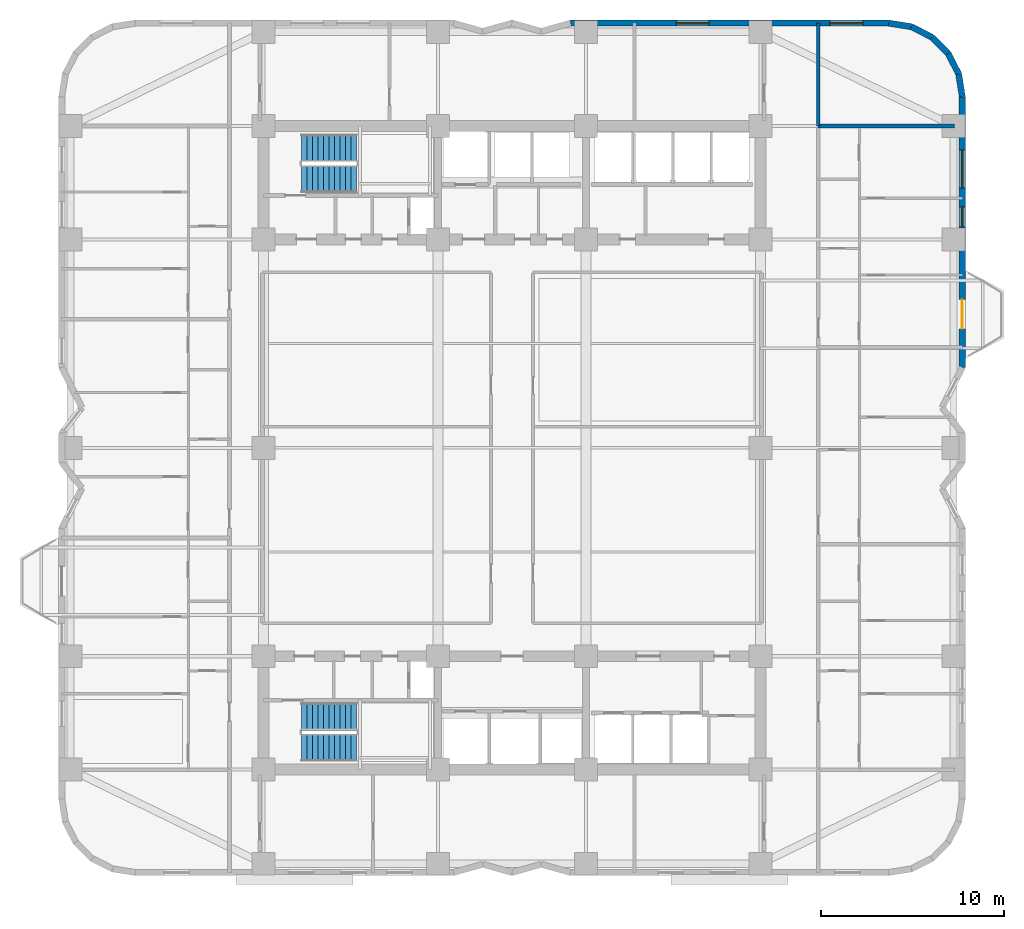
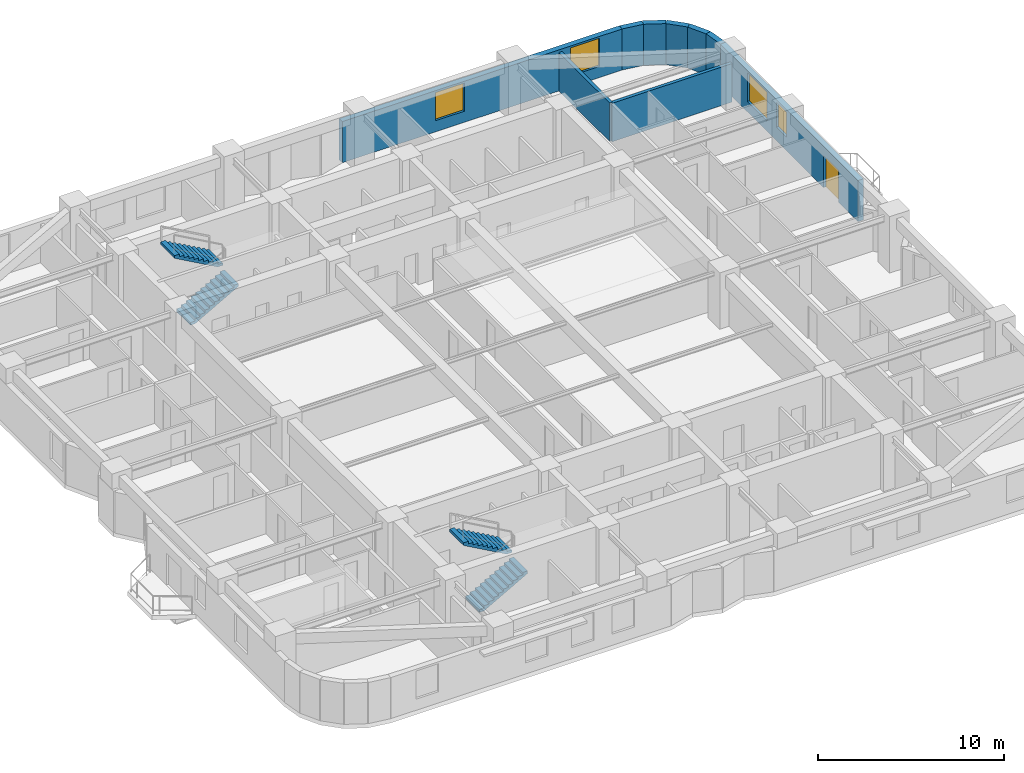
# One storey, part 8 of 10: 9 walls, 4 stair flights, 4 windows, 1 door, 5 openings, 2 elements without a shape of their own.
"""IFC4 building model written with IfcOpenShell, lengths in metres."""

from ifc_helpers import new_model, si_unit, direction, frame, frame_2d, origin, place, context, subcontext, project, spatial, polyline, rectangle, outline, extrude, material, layer, layer_set, type_object, element, fill, aggregate, save


model = new_model("IFC4")

# Units and contexts
model_context = context("Model", 3, precision=1e-05, world=origin(), true_north=direction((0.0, 1.0)))
body_context = subcontext(model_context, "Body", "Model", "MODEL_VIEW")
ifc_project = project(units=[si_unit("LENGTHUNIT", "METRE"), si_unit("AREAUNIT", "SQUARE_METRE"), si_unit("VOLUMEUNIT", "CUBIC_METRE"), si_unit("PLANEANGLEUNIT", "RADIAN"), si_unit("MASSUNIT", "GRAM", prefix="KILO")], contexts=[model_context])

# Site, building, storey
site_placement = place(None, origin())
site = spatial("IfcSite", under=ifc_project, at=site_placement, CompositionType="ELEMENT")
building_placement = place(site_placement, origin())
building = spatial("IfcBuilding", under=site, at=building_placement, Name="Svetorya Sky Lyceum", CompositionType="ELEMENT")
storey_placement = place(building_placement, frame((0.0, 0.0, 69.5)))
storey = spatial("IfcBuildingStorey", under=building, at=storey_placement, Name="L17", CompositionType="ELEMENT", Elevation=69.5)

# Wall, openings, door, windows
ifc_material_1 = material(Name="Putilovo limestone rainscreen on autoclaved cellular masonry", Category="masonry")
ifc_layer_1 = layer(ifc_material_1, 0.340087890625)
ifc_layer_set_1 = layer_set([ifc_layer_1], Name="Putilovo limestone rainscreen on autoclaved cellular masonry")
wall_type_1 = type_object("IfcWallType", Name="WL-EXT-340", PredefinedType="SOLIDWALL", material=ifc_layer_set_1)
wall_1_placement = place(storey_placement, frame((63.830078125, 32.60009765625, 0.0), z_axis=(0.0, 0.0, 1.0), x_axis=(0.0, 1.0, 0.0)))
wall_1 = element("IfcWall", 1, at=wall_1_placement, inside=storey, type_object=wall_type_1, Name="L17 Limestone Exterior Wall 23M", PredefinedType="SOLIDWALL", context=body_context, shape_type="SweptSolid", body=[
    extrude(rectangle(XDim=14.7998046875, YDim=0.340087890625, at=frame_2d((7.39990234375, 0.0))), origin(), (0.0, 0.0, 1.0), 2.699951171875),
])
opening_1_placement = place(wall_1_placement, frame((2.10009765625, 0.0, 0.0)))
opening_1 = element("IfcOpeningElement", 2, at=opening_1_placement, cuts=wall_1, Name="Opening D-BL1", PredefinedType="OPENING", context=body_context, shape_type="SweptSolid", body=[
    extrude(rectangle(XDim=1.60009765625, YDim=2.10009765625, at=frame_2d((0.800048828125, 1.050048828125))), frame((0.0, 0.179931640625, 0.0), z_axis=(0.0, -1.0, 0.0), x_axis=(1.0, 0.0, 0.0)), (0.0, 0.0, 1.0), 0.360107421875),
])
opening_2_placement = place(wall_1_placement, frame((7.679931640625, 0.0, 0.889892578125)))
opening_2 = element("IfcOpeningElement", 3, at=opening_2_placement, cuts=wall_1, Name="Opening W-R3", PredefinedType="OPENING", context=body_context, shape_type="SweptSolid", body=[
    extrude(rectangle(XDim=1.10009765625, YDim=1.64990234375, at=frame_2d((0.550048828125, 0.824951171875))), frame((0.0, 0.179931640625, 0.0), z_axis=(0.0, -1.0, 0.0), x_axis=(1.0, 0.0, 0.0)), (0.0, 0.0, 1.0), 0.360107421875),
])
opening_3_placement = place(wall_1_placement, frame((9.800048828125, 0.0, 0.679931640625)))
opening_3 = element("IfcOpeningElement", 4, at=opening_3_placement, cuts=wall_1, Name="Opening W-R0", PredefinedType="OPENING", context=body_context, shape_type="SweptSolid", body=[
    extrude(rectangle(XDim=2.10009765625, YDim=1.89990234375, at=frame_2d((1.050048828125, 0.949951171875))), frame((0.0, 0.179931640625, 0.0), z_axis=(0.0, -1.0, 0.0), x_axis=(1.0, 0.0, 0.0)), (0.0, 0.0, 1.0), 0.360107421875),
])
ifc_material_2 = material(Name="Insulated glazed aluminium balcony door", Category="aluminium")
door_type = type_object("IfcDoorType", Name="DR-BAL-1600", OperationType="DOUBLE_DOOR_SINGLE_SWING", PredefinedType="DOOR", material=ifc_material_2)
door_placement = place(opening_1_placement, origin())
door = element("IfcDoor", 5, at=door_placement, inside=storey, type_object=door_type, Name="L17 Balcony BAL-E1 Door", OperationType="DOUBLE_DOOR_SINGLE_SWING", OverallHeight=2.10009765625, OverallWidth=1.60009765625, PredefinedType="DOOR", context=body_context, shape_type="SweptSolid", body=[
    extrude(rectangle(XDim=1.60009765625, YDim=2.10009765625, at=frame_2d((0.800048828125, 1.050048828125))), frame((0.0, 0.02490234375, 0.0), z_axis=(0.0, -1.0, 0.0), x_axis=(1.0, 0.0, 0.0)), (0.0, 0.0, 1.0), 0.050048828125),
])
fill(opening_1, door)
ifc_material_3 = material(Name="Thermally broken aluminium frame with triple low-E glazing", Category="aluminium")
window_type_1 = type_object("IfcWindowType", Name="WN-RES-110", PartitioningType="SINGLE_PANEL", PredefinedType="WINDOW", material=ifc_material_3)
window_1_placement = place(opening_2_placement, origin())
window_1 = element("IfcWindow", 6, at=window_1_placement, inside=storey, type_object=window_type_1, Name="L17 Facade Window W-R3.23M.2", OverallHeight=1.64990234375, OverallWidth=1.10009765625, PartitioningType="SINGLE_PANEL", PredefinedType="WINDOW", context=body_context, shape_type="SweptSolid", body=[
    extrude(rectangle(XDim=1.10009765625, YDim=1.64990234375, at=frame_2d((0.550048828125, 0.824951171875))), frame((0.0, 0.030029296875, 0.0), z_axis=(0.0, -1.0, 0.0), x_axis=(1.0, 0.0, 0.0)), (0.0, 0.0, 1.0), 0.06005859375),
])
fill(opening_2, window_1)
window_type_2 = type_object("IfcWindowType", Name="WN-RES-210", PartitioningType="TRIPLE_PANEL_VERTICAL", PredefinedType="WINDOW", material=ifc_material_3)
window_2_placement = place(opening_3_placement, origin())
window_2 = element("IfcWindow", 7, at=window_2_placement, inside=storey, type_object=window_type_2, Name="L17 Facade Window W-R0.23M.1", OverallHeight=1.89990234375, OverallWidth=2.10009765625, PartitioningType="SINGLE_PANEL", PredefinedType="WINDOW", context=body_context, shape_type="SweptSolid", body=[
    extrude(rectangle(XDim=2.10009765625, YDim=1.89990234375, at=frame_2d((1.050048828125, 0.949951171875))), frame((0.0, 0.030029296875, 0.0), z_axis=(0.0, -1.0, 0.0), x_axis=(1.0, 0.0, 0.0)), (0.0, 0.0, 1.0), 0.06005859375),
])
fill(opening_3, window_2)

# Walls
for number, where, z_axis, x_axis, name in (
    (8, (63.830078125, 47.39990234375, 0.0), (0.0, 0.0, 1.0), (-0.15644975923, 0.987685918112, 0.0), "L17 Limestone Exterior Wall 24M"),
    (9, (63.6328125, 48.645263671875, 0.0), (0.0, 0.0, 1.0), (-0.454015689056, 0.890993689142, 0.0), "L17 Limestone Exterior Wall 25M"),
    (10, (63.060302734375, 49.768798828125, 0.0), (0.0, 0.0, 1.0), (-0.707106781187, 0.707106781187, 0.0), "L17 Limestone Exterior Wall 26M"),
):
    element("IfcWall", number, at=place(storey_placement, frame(where, z_axis=z_axis, x_axis=x_axis)), inside=storey, type_object=wall_type_1, Name=name, PredefinedType="SOLIDWALL", context=body_context, shape_type="SweptSolid", body=[
        extrude(rectangle(XDim=1.260986328125, YDim=0.340087890625, at=frame_2d((0.63037109375, 0.0))), origin(), (0.0, 0.0, 1.0), 2.699951171875),
    ])
for number, where, z_axis, x_axis, name in (
    (11, (62.168701171875, 50.660400390625, 0.0), (0.0, 0.0, 1.0), (-0.890953769915, 0.454094020963, 0.0), "L17 Limestone Exterior Wall 27M"),
    (12, (61.04541015625, 51.23291015625, 0.0), (0.0, 0.0, 1.0), (-0.98771582066, 0.156260864002, 0.0), "L17 Limestone Exterior Wall 28M"),
):
    element("IfcWall", number, at=place(storey_placement, frame(where, z_axis=z_axis, x_axis=x_axis)), inside=storey, type_object=wall_type_1, Name=name, PredefinedType="SOLIDWALL", context=body_context, shape_type="SweptSolid", body=[
        extrude(rectangle(XDim=1.2607421875, YDim=0.340087890625, at=frame_2d((0.63037109375, 0.0))), origin(), (0.0, 0.0, 1.0), 2.699951171875),
    ])

# Wall, openings, windows
wall_2_placement = place(storey_placement, frame((59.800048828125, 51.429931640625, 0.0), z_axis=(0.0, 0.0, 1.0), x_axis=(-1.0, 0.0, 0.0)))
wall_2 = element("IfcWall", 13, at=wall_2_placement, inside=storey, type_object=wall_type_1, Name="L17 Limestone Exterior Wall 29M", PredefinedType="SOLIDWALL", context=body_context, shape_type="SweptSolid", body=[
    extrude(rectangle(XDim=17.400146484375, YDim=0.340087890625, at=frame_2d((8.7001953125, 0.0))), origin(), (0.0, 0.0, 1.0), 2.699951171875),
])
opening_4_placement = place(wall_2_placement, frame((1.41259765625, 0.0, 0.72998046875)))
opening_4 = element("IfcOpeningElement", 14, at=opening_4_placement, cuts=wall_2, Name="Opening W-R1", PredefinedType="OPENING", context=body_context, shape_type="SweptSolid", body=[
    extrude(rectangle(XDim=1.800048828125, YDim=1.85009765625, at=frame_2d((0.89990234375, 0.925048828125))), frame((0.0, 0.179931640625, 0.0), z_axis=(0.0, -1.0, 0.0), x_axis=(1.0, 0.0, 0.0)), (0.0, 0.0, 1.0), 0.360107421875),
])
opening_5_placement = place(wall_2_placement, frame((9.8125, 0.0, 0.72998046875)))
opening_5 = element("IfcOpeningElement", 15, at=opening_5_placement, cuts=wall_2, Name="Opening W-R1", PredefinedType="OPENING", context=body_context, shape_type="SweptSolid", body=[
    extrude(rectangle(XDim=1.800048828125, YDim=1.85009765625, at=frame_2d((0.89990234375, 0.925048828125))), frame((0.0, 0.179931640625, 0.0), z_axis=(0.0, -1.0, 0.0), x_axis=(1.0, 0.0, 0.0)), (0.0, 0.0, 1.0), 0.360107421875),
])
window_type_3 = type_object("IfcWindowType", Name="WN-RES-180", PartitioningType="DOUBLE_PANEL_VERTICAL", PredefinedType="WINDOW", material=ifc_material_3)
window_3_placement = place(opening_4_placement, origin())
window_3 = element("IfcWindow", 16, at=window_3_placement, inside=storey, type_object=window_type_3, Name="L17 Facade Window W-R1.29M.1", OverallHeight=1.85009765625, OverallWidth=1.800048828125, PartitioningType="SINGLE_PANEL", PredefinedType="WINDOW", context=body_context, shape_type="SweptSolid", body=[
    extrude(rectangle(XDim=1.800048828125, YDim=1.85009765625, at=frame_2d((0.89990234375, 0.925048828125))), frame((0.0, 0.030029296875, 0.0), z_axis=(0.0, -1.0, 0.0), x_axis=(1.0, 0.0, 0.0)), (0.0, 0.0, 1.0), 0.06005859375),
])
fill(opening_4, window_3)
window_4_placement = place(opening_5_placement, origin())
window_4 = element("IfcWindow", 17, at=window_4_placement, inside=storey, type_object=window_type_3, Name="L17 Facade Window W-R1.29M.2", OverallHeight=1.85009765625, OverallWidth=1.800048828125, PartitioningType="SINGLE_PANEL", PredefinedType="WINDOW", context=body_context, shape_type="SweptSolid", body=[
    extrude(rectangle(XDim=1.800048828125, YDim=1.85009765625, at=frame_2d((0.89990234375, 0.925048828125))), frame((0.0, 0.030029296875, 0.0), z_axis=(0.0, -1.0, 0.0), x_axis=(1.0, 0.0, 0.0)), (0.0, 0.0, 1.0), 0.06005859375),
])
fill(opening_5, window_4)

# Walls
ifc_material_4 = material(Name="Autoclaved cellular masonry blockwork with gypsum plaster", Category="masonry")
ifc_layer_2 = layer(ifc_material_4, 0.199951171875)
ifc_layer_set_2 = layer_set([ifc_layer_2], Name="Autoclaved cellular masonry blockwork with gypsum plaster")
wall_type_2 = type_object("IfcWallType", Name="WL-PART-200", PredefinedType="PARTITIONING", material=ifc_layer_set_2)
wall_3_placement = place(storey_placement, frame((55.949951171875, 45.800048828125, 0.0), z_axis=(0.0, 0.0, 1.0), x_axis=(1.0, 0.0, 0.0)))
element("IfcWall", 18, at=wall_3_placement, inside=storey, type_object=wall_type_2, Name="L17 Interior Partition E-CAP-N", PredefinedType="PARTITIONING", context=body_context, shape_type="SweptSolid", body=[
    extrude(rectangle(XDim=7.4599609375, YDim=0.199951171875, at=frame_2d((3.72998046875, 0.0))), origin(), (0.0, 0.0, 1.0), 2.530029296875),
])
wall_4_placement = place(storey_placement, frame((55.949951171875, 45.800048828125, 0.0), z_axis=(0.0, 0.0, 1.0), x_axis=(0.0, 1.0, 0.0)))
element("IfcWall", 19, at=wall_4_placement, inside=storey, type_object=wall_type_2, Name="L17 Interior Partition EC-NE-END", PredefinedType="PARTITIONING", context=body_context, shape_type="SweptSolid", body=[
    extrude(rectangle(XDim=5.6298828125, YDim=0.199951171875, at=frame_2d((2.81494140625, 0.0))), origin(), (0.0, 0.0, 1.0), 2.530029296875),
])

# Stair, stair flights
ifc_material_5 = material(Name="Concrete C40/50", Category="concrete")
stair_type_1 = type_object("IfcStairType", Name="STR-ST-N", PredefinedType="HALF_TURN_STAIR", material=ifc_material_5)
stair_1_placement = place(storey_placement, origin())
stair_1 = element("IfcStair", 20, at=stair_1_placement, inside=storey, type_object=stair_type_1, Name="L17 North Core Smoke-Free Exit Stair N3", PredefinedType="HALF_TURN_STAIR")
stair_flight_type_1 = type_object("IfcStairFlightType", Name="SFL-ST-N", PredefinedType="STRAIGHT", material=ifc_material_5)
stair_flight_1_placement = place(storey_placement, frame((27.699951171875, 42.89990234375, 0.0), z_axis=(0.0, 0.0, 1.0), x_axis=(1.0, 0.0, 0.0)))
stair_flight_1 = element("IfcStairFlight", 21, at=stair_flight_1_placement, type_object=stair_flight_type_1, Name="ST-N flight 1", NumberOfRisers=11, NumberOfTreads=10, PredefinedType="STRAIGHT", RiserHeight=0.168181818, TreadLength=0.3, context=body_context, shape_type="SweptSolid", body=[
    extrude(outline(polyline([(0.0, 0.0), (0.0, 0.168212890625), (0.300048828125, 0.168212890625), (0.300048828125, 0.33642578125), (0.60009765625, 0.33642578125), (0.60009765625, 0.504638671875), (0.89990234375, 0.504638671875), (0.89990234375, 0.672607421875), (1.199951171875, 0.672607421875), (1.199951171875, 0.8408203125), (1.5, 0.8408203125), (1.5, 1.009033203125), (1.800048828125, 1.009033203125), (1.800048828125, 1.17724609375), (2.10009765625, 1.17724609375), (2.10009765625, 1.345458984375), (2.39990234375, 1.345458984375), (2.39990234375, 1.513671875), (2.699951171875, 1.513671875), (2.699951171875, 1.681884765625), (3.0, 1.681884765625), (3.0, 1.85009765625), (3.0, 1.510009765625), (0.306640625, 0.0), (0.0, 0.0)])), frame((0.0, 0.75, 0.0), z_axis=(0.0, -1.0, 0.0), x_axis=(1.0, 0.0, 0.0)), (0.0, 0.0, 1.0), 1.5),
])
stair_flight_2_placement = place(storey_placement, frame((30.699951171875, 44.60009765625, 1.85009765625), z_axis=(0.0, 0.0, 1.0), x_axis=(-1.0, 0.0, 0.0)))
stair_flight_2 = element("IfcStairFlight", 22, at=stair_flight_2_placement, type_object=stair_flight_type_1, Name="ST-N flight 2", NumberOfRisers=11, NumberOfTreads=10, PredefinedType="STRAIGHT", RiserHeight=0.168181818, TreadLength=0.3, context=body_context, shape_type="SweptSolid", body=[
    extrude(outline(polyline([(0.0, 0.0), (0.0, 0.168212890625), (0.300048828125, 0.168212890625), (0.300048828125, 0.33642578125), (0.60009765625, 0.33642578125), (0.60009765625, 0.504638671875), (0.89990234375, 0.504638671875), (0.89990234375, 0.672607421875), (1.199951171875, 0.672607421875), (1.199951171875, 0.8408203125), (1.5, 0.8408203125), (1.5, 1.009033203125), (1.800048828125, 1.009033203125), (1.800048828125, 1.17724609375), (2.10009765625, 1.17724609375), (2.10009765625, 1.345458984375), (2.39990234375, 1.345458984375), (2.39990234375, 1.513671875), (2.699951171875, 1.513671875), (2.699951171875, 1.681884765625), (3.0, 1.681884765625), (3.0, 1.85009765625), (3.0, 1.510009765625), (0.306640625, 0.0), (0.0, 0.0)])), frame((0.0, 0.75, 0.0), z_axis=(0.0, -1.0, 0.0), x_axis=(1.0, 0.0, 0.0)), (0.0, 0.0, 1.0), 1.5),
])
aggregate(stair_1, [stair_flight_1, stair_flight_2])

stair_type_2 = type_object("IfcStairType", Name="STR-ST-S", PredefinedType="HALF_TURN_STAIR", material=ifc_material_5)
stair_2_placement = place(storey_placement, origin())
stair_2 = element("IfcStair", 23, at=stair_2_placement, inside=storey, type_object=stair_type_2, Name="L17 South Core Smoke-Free Exit Stair N2", PredefinedType="HALF_TURN_STAIR")
stair_flight_type_2 = type_object("IfcStairFlightType", Name="SFL-ST-S", PredefinedType="STRAIGHT", material=ifc_material_5)
stair_flight_3_placement = place(storey_placement, frame((27.699951171875, 11.800048828125, 0.0), z_axis=(0.0, 0.0, 1.0), x_axis=(1.0, 0.0, 0.0)))
stair_flight_3 = element("IfcStairFlight", 24, at=stair_flight_3_placement, type_object=stair_flight_type_2, Name="ST-S flight 1", NumberOfRisers=11, NumberOfTreads=10, PredefinedType="STRAIGHT", RiserHeight=0.168181818, TreadLength=0.3, context=body_context, shape_type="SweptSolid", body=[
    extrude(outline(polyline([(0.0, 0.0), (0.0, 0.168212890625), (0.300048828125, 0.168212890625), (0.300048828125, 0.33642578125), (0.60009765625, 0.33642578125), (0.60009765625, 0.504638671875), (0.89990234375, 0.504638671875), (0.89990234375, 0.672607421875), (1.199951171875, 0.672607421875), (1.199951171875, 0.8408203125), (1.5, 0.8408203125), (1.5, 1.009033203125), (1.800048828125, 1.009033203125), (1.800048828125, 1.17724609375), (2.10009765625, 1.17724609375), (2.10009765625, 1.345458984375), (2.39990234375, 1.345458984375), (2.39990234375, 1.513671875), (2.699951171875, 1.513671875), (2.699951171875, 1.681884765625), (3.0, 1.681884765625), (3.0, 1.85009765625), (3.0, 1.510009765625), (0.306640625, 0.0), (0.0, 0.0)])), frame((0.0, 0.75, 0.0), z_axis=(0.0, -1.0, 0.0), x_axis=(1.0, 0.0, 0.0)), (0.0, 0.0, 1.0), 1.5),
])
stair_flight_4_placement = place(storey_placement, frame((30.699951171875, 13.5, 1.85009765625), z_axis=(0.0, 0.0, 1.0), x_axis=(-1.0, 0.0, 0.0)))
stair_flight_4 = element("IfcStairFlight", 25, at=stair_flight_4_placement, type_object=stair_flight_type_2, Name="ST-S flight 2", NumberOfRisers=11, NumberOfTreads=10, PredefinedType="STRAIGHT", RiserHeight=0.168181818, TreadLength=0.3, context=body_context, shape_type="SweptSolid", body=[
    extrude(outline(polyline([(0.0, 0.0), (0.0, 0.168212890625), (0.300048828125, 0.168212890625), (0.300048828125, 0.33642578125), (0.60009765625, 0.33642578125), (0.60009765625, 0.504638671875), (0.89990234375, 0.504638671875), (0.89990234375, 0.672607421875), (1.199951171875, 0.672607421875), (1.199951171875, 0.8408203125), (1.5, 0.8408203125), (1.5, 1.009033203125), (1.800048828125, 1.009033203125), (1.800048828125, 1.17724609375), (2.10009765625, 1.17724609375), (2.10009765625, 1.345458984375), (2.39990234375, 1.345458984375), (2.39990234375, 1.513671875), (2.699951171875, 1.513671875), (2.699951171875, 1.681884765625), (3.0, 1.681884765625), (3.0, 1.85009765625), (3.0, 1.510009765625), (0.306640625, 0.0), (0.0, 0.0)])), frame((0.0, 0.75, 0.0), z_axis=(0.0, -1.0, 0.0), x_axis=(1.0, 0.0, 0.0)), (0.0, 0.0, 1.0), 1.5),
])
aggregate(stair_2, [stair_flight_3, stair_flight_4])

save(model, "model.ifc")
